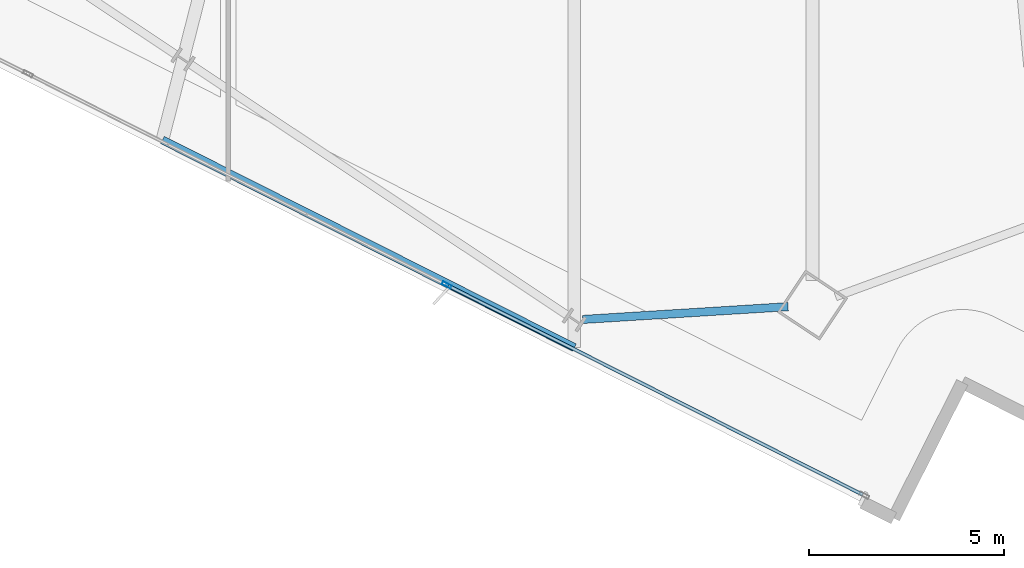
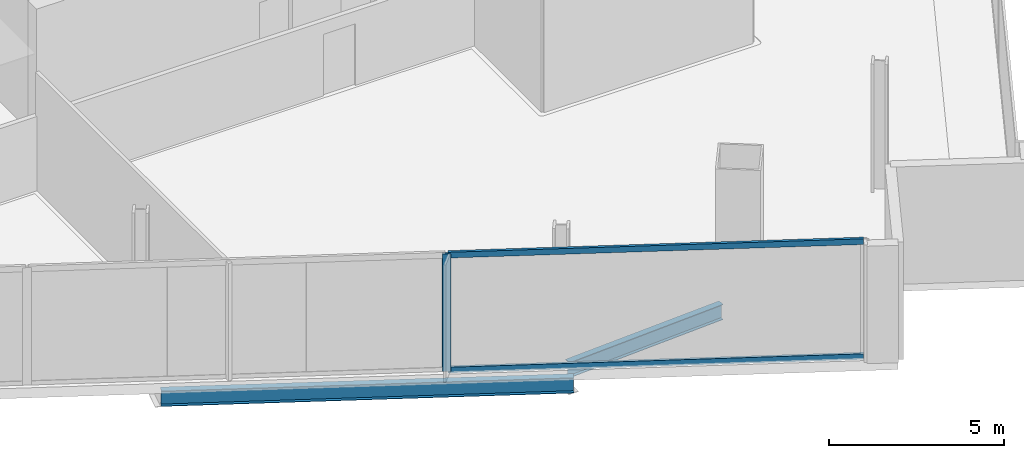
# One storey, part 3 of 27: 3 members, 2 beams, 1 element without a shape of its own.
"""IFC4 building model written with IfcOpenShell, lengths in metres."""

from ifc_helpers import new_model, si_unit, direction, frame, origin, origin_2d, place, context, subcontext, project, spatial, hollow_rectangle, i_section, extrude, material, material_profile, profile_set, type_object, element, aggregate, save


model = new_model("IFC4")

# Units and contexts
model_context = context("Model", 3, precision=1e-05, world=origin(), true_north=direction((0.0, 1.0)))
body_context = subcontext(model_context, "Body", "Model", "MODEL_VIEW")
ifc_project = project(units=[si_unit("LENGTHUNIT", "METRE"), si_unit("AREAUNIT", "SQUARE_METRE"), si_unit("VOLUMEUNIT", "CUBIC_METRE"), si_unit("PLANEANGLEUNIT", "RADIAN"), si_unit("MASSUNIT", "GRAM", prefix="KILO")], contexts=[model_context])

# Site, building, storey
site_placement = place(None, origin())
site = spatial("IfcSite", under=ifc_project, at=site_placement, CompositionType="ELEMENT")
building_placement = place(site_placement, origin())
building = spatial("IfcBuilding", under=site, at=building_placement, Name="Haldenkirk Collegiate Tower", CompositionType="ELEMENT")
storey_placement = place(building_placement, frame((0.0, 0.0, 239.699951171875)))
storey = spatial("IfcBuildingStorey", under=building, at=storey_placement, Name="L60", CompositionType="ELEMENT", Elevation=239.699951171875)

# Beams
ifc_material_1 = material(Name="Steel ASTM A992 Grade 50", Category="steel")
ifc_material_profile_1 = material_profile(ifc_material_1, i_section(OverallWidth=0.2099609375, OverallDepth=0.537109375, WebThickness=0.010986328125, FlangeThickness=0.017333984375, at=origin_2d()), Name="W21X68")
ifc_profile_set_1 = profile_set([ifc_material_profile_1], Name="Steel ASTM A992 Grade 50")
beam_type = type_object("IfcBeamType", Name="BM-SPANDREL-W21X68", PredefinedType="SPANDREL", material=ifc_profile_set_1)
beam_1_placement = place(storey_placement, frame((34.59326171875, 0.966064453125, -0.618408203125), z_axis=(0.99806607268, 0.062162002577, 0.0), x_axis=(-0.062162002577, 0.99806607268, 0.0)))
element("IfcBeam", 1, at=beam_1_placement, inside=storey, type_object=beam_type, Name="L60 perimeter spandrel beam 16", PredefinedType="SPANDREL", context=body_context, shape_type="SweptSolid", body=[
    extrude(i_section(OverallWidth=0.2099609375, OverallDepth=0.537109375, WebThickness=0.010986328125, FlangeThickness=0.017333984375, at=origin_2d()), origin(), (0.0, 0.0, 1.0), 5.270751953125),
])
beam_2_placement = place(storey_placement, frame((23.814697265625, 5.568115234375, -0.618408203125), z_axis=(0.892977641951, -0.450101023078, 0.0), x_axis=(0.450101023078, 0.892977641951, 0.0)))
element("IfcBeam", 2, at=beam_2_placement, inside=storey, type_object=beam_type, Name="L60 outer facade edge beam 4", PredefinedType="SPANDREL", context=body_context, shape_type="SweptSolid", body=[
    extrude(i_section(OverallWidth=0.2099609375, OverallDepth=0.537109375, WebThickness=0.010986328125, FlangeThickness=0.017333984375, at=origin_2d()), origin(), (0.0, 0.0, 1.0), 11.827880859375),
])

# Curtain wall, members
ifc_material_2 = material(Name="Anodised architectural bronze aluminium", Category="aluminium")
curtain_wall_type = type_object("IfcCurtainWallType", Name="CW-SYS1B-CONVEX-HI", PredefinedType="USERDEFINED", material=ifc_material_2)
curtain_wall_placement = place(storey_placement, origin())
curtain_wall = element("IfcCurtainWall", 3, at=curtain_wall_placement, inside=storey, type_object=curtain_wall_type, Name="L60 Upper tower high-wind convex bronze unitised curtain wall", ObjectType="UNITISED CURTAIN WALL", PredefinedType="USERDEFINED")
ifc_material_profile_2 = material_profile(ifc_material_2, hollow_rectangle(XDim=0.0849609375, YDim=0.25, WallThickness=0.0048828125, at=origin_2d()), Name="CW-MUL-1B")
ifc_profile_set_2 = profile_set([ifc_material_profile_2], Name="Anodised architectural bronze aluminium")
member_type_1 = type_object("IfcMemberType", Name="CW-MUL-1B", PredefinedType="MULLION", material=ifc_profile_set_2)
member_1_placement = place(storey_placement, frame((31.10546875, 1.84814453125, 0.0), z_axis=(0.0, 0.0, 1.0), x_axis=(-0.450098584579, -0.89297887106, 0.0)))
member_1 = element("IfcMember", 4, at=member_1_placement, type_object=member_type_1, Name="CW-1B mullion 2", PredefinedType="MULLION", context=body_context, shape_type="SweptSolid", body=[
    extrude(hollow_rectangle(XDim=0.0849609375, YDim=0.25, WallThickness=0.0048828125, at=origin_2d()), origin(), (0.0, 0.0, 1.0), 4.10009765625),
])
ifc_material_profile_3 = material_profile(ifc_material_2, hollow_rectangle(XDim=0.0849609375, YDim=0.199951171875, WallThickness=0.0048828125, at=origin_2d()), Name="CW-TRN-1B")
ifc_profile_set_3 = profile_set([ifc_material_profile_3], Name="Anodised architectural bronze aluminium")
member_type_2 = type_object("IfcMemberType", Name="CW-TRN-1B", PredefinedType="USERDEFINED", material=ifc_profile_set_3)
member_2_placement = place(storey_placement, frame((41.767578125, -3.52587890625, 0.04248046875), z_axis=(-0.892977868443, 0.45010057373, 0.0), x_axis=(-0.45010057373, -0.892977868443, 0.0)))
member_2 = element("IfcMember", 5, at=member_2_placement, type_object=member_type_2, Name="CW-1B transom 1.1", ObjectType="TRANSOM", PredefinedType="USERDEFINED", context=body_context, shape_type="SweptSolid", body=[
    extrude(hollow_rectangle(XDim=0.0849609375, YDim=0.199951171875, WallThickness=0.0048828125, at=origin_2d()), origin(), (0.0, 0.0, 1.0), 11.897216796875),
])
member_3_placement = place(storey_placement, frame((41.767578125, -3.52587890625, 4.0576171875), z_axis=(-0.892977868443, 0.45010057373, 0.0), x_axis=(-0.45010057373, -0.892977868443, 0.0)))
member_3 = element("IfcMember", 6, at=member_3_placement, type_object=member_type_2, Name="CW-1B transom 1.2", ObjectType="TRANSOM", PredefinedType="USERDEFINED", context=body_context, shape_type="SweptSolid", body=[
    extrude(hollow_rectangle(XDim=0.0849609375, YDim=0.199951171875, WallThickness=0.0048828125, at=origin_2d()), origin(), (0.0, 0.0, 1.0), 11.897216796875),
])
aggregate(curtain_wall, [member_1, member_2, member_3])

save(model, "model.ifc")
